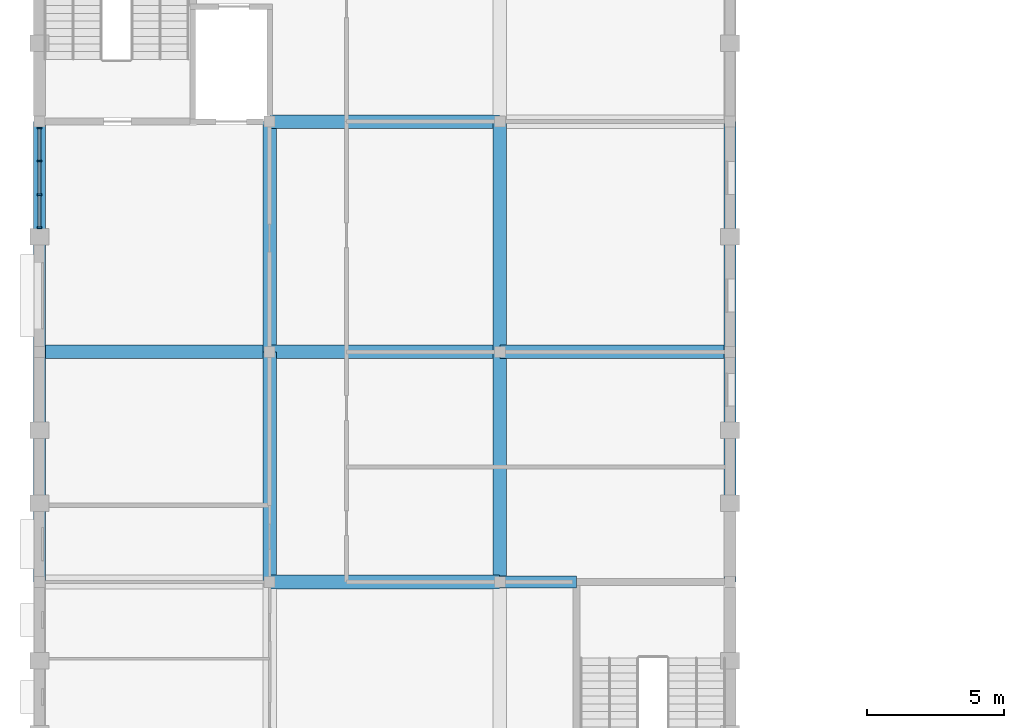
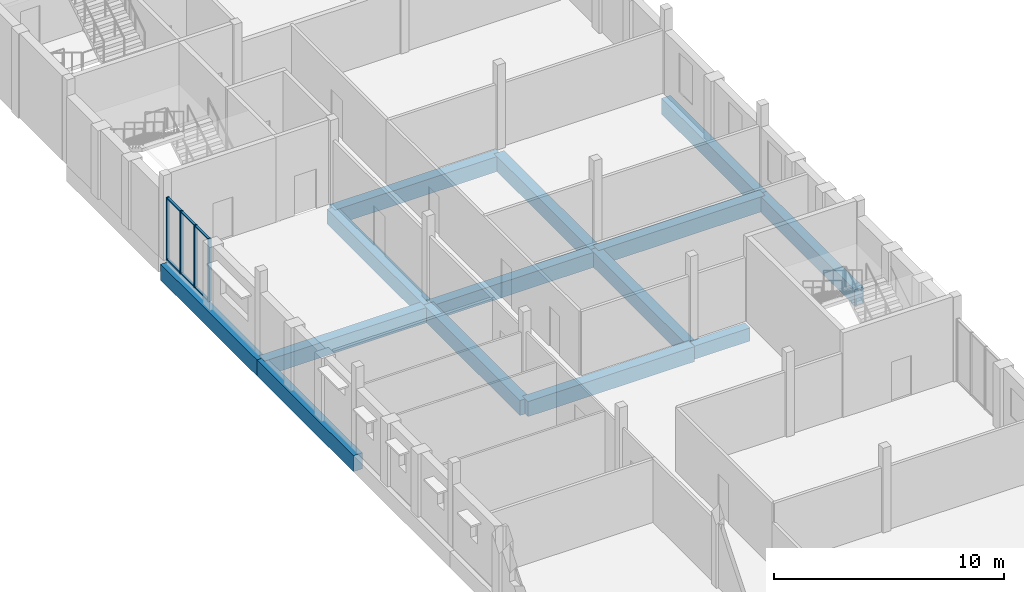
# One storey, part 6 of 22: 14 beams, 10 members, 1 element without a shape of its own.
"""IFC4 building model written with IfcOpenShell, lengths in metres."""

from ifc_helpers import new_model, si_unit, direction, frame, origin, origin_2d, place, context, subcontext, project, spatial, rectangle, extrude, material, material_profile, profile_set, type_object, element, aggregate, save


model = new_model("IFC4")

# Units and contexts
model_context = context("Model", 3, precision=1e-05, world=origin(), true_north=direction((0.0, 1.0)))
body_context = subcontext(model_context, "Body", "Model", "MODEL_VIEW")
ifc_project = project(units=[si_unit("LENGTHUNIT", "METRE"), si_unit("AREAUNIT", "SQUARE_METRE"), si_unit("VOLUMEUNIT", "CUBIC_METRE"), si_unit("PLANEANGLEUNIT", "RADIAN"), si_unit("MASSUNIT", "GRAM", prefix="KILO")], contexts=[model_context])

# Site, building, storey
site_placement = place(None, origin())
site = spatial("IfcSite", under=ifc_project, at=site_placement, CompositionType="ELEMENT")
building_placement = place(site_placement, origin())
building = spatial("IfcBuilding", under=site, at=building_placement, Name="Fescue Hill Polytechnic", CompositionType="ELEMENT")
storey_placement = place(building_placement, frame((0.0, 0.0, 27.0)))
storey = spatial("IfcBuildingStorey", under=building, at=storey_placement, Name="L06", CompositionType="ELEMENT", Elevation=27.0)

# Beams
ifc_material_1 = material(Name="Concrete 35 MPa", Category="concrete")
ifc_material_profile_1 = material_profile(ifc_material_1, rectangle(XDim=0.449951171875, YDim=0.699951171875, at=origin_2d()), Name="RC 450x700")
ifc_profile_set_1 = profile_set([ifc_material_profile_1], Name="Concrete 35 MPa")
beam_type_1 = type_object("IfcBeamType", Name="Beam RC 450x700", PredefinedType="BEAM", material=ifc_profile_set_1)
beam_1_placement = place(storey_placement, frame((16.81005859375, 84.0, -0.64990234375), z_axis=(1.0, 0.0, 0.0), x_axis=(0.0, 1.0, 0.0)))
element("IfcBeam", 1, at=beam_1_placement, inside=storey, type_object=beam_type_1, Name="BM-L06-0046", PredefinedType="BEAM", context=body_context, shape_type="SweptSolid", body=[
    extrude(rectangle(XDim=0.449951171875, YDim=0.699951171875, at=origin_2d()), origin(), (0.0, 0.0, 1.0), 2.7900390625),
])
ifc_material_profile_2 = material_profile(ifc_material_1, rectangle(XDim=0.449951171875, YDim=0.85009765625, at=origin_2d()), Name="RC 450x850")
ifc_profile_set_2 = profile_set([ifc_material_profile_2], Name="Concrete 35 MPa")
beam_type_2 = type_object("IfcBeamType", Name="Beam RC 450x850", PredefinedType="BEAM", material=ifc_profile_set_2)
beam_2_placement = place(storey_placement, frame((0.0, 84.0, -0.72509765625), z_axis=(0.0, 1.0, 0.0), x_axis=(-1.0, 0.0, 0.0)))
element("IfcBeam", 2, at=beam_2_placement, inside=storey, type_object=beam_type_2, Name="BM-L06-0004", PredefinedType="BEAM", context=body_context, shape_type="SweptSolid", body=[
    extrude(rectangle(XDim=0.449951171875, YDim=0.85009765625, at=origin_2d()), origin(), (0.0, 0.0, 1.0), 8.39990234375),
])
beam_3_placement = place(storey_placement, frame((0.0, 92.39990234375, -0.72509765625), z_axis=(0.0, 1.0, 0.0), x_axis=(-1.0, 0.0, 0.0)))
element("IfcBeam", 3, at=beam_3_placement, inside=storey, type_object=beam_type_2, Name="BM-L06-0005", PredefinedType="BEAM", context=body_context, shape_type="SweptSolid", body=[
    extrude(rectangle(XDim=0.449951171875, YDim=0.85009765625, at=origin_2d()), origin(), (0.0, 0.0, 1.0), 8.400146484375),
])
beam_4_placement = place(storey_placement, frame((25.199951171875, 84.0, -0.72509765625), z_axis=(0.0, 1.0, 0.0), x_axis=(-1.0, 0.0, 0.0)))
element("IfcBeam", 4, at=beam_4_placement, inside=storey, type_object=beam_type_2, Name="BM-L06-0053", PredefinedType="BEAM", context=body_context, shape_type="SweptSolid", body=[
    extrude(rectangle(XDim=0.449951171875, YDim=0.85009765625, at=origin_2d()), origin(), (0.0, 0.0, 1.0), 8.39990234375),
])
beam_5_placement = place(storey_placement, frame((25.199951171875, 92.39990234375, -0.72509765625), z_axis=(0.0, 1.0, 0.0), x_axis=(-1.0, 0.0, 0.0)))
element("IfcBeam", 5, at=beam_5_placement, inside=storey, type_object=beam_type_2, Name="BM-L06-0054", PredefinedType="BEAM", context=body_context, shape_type="SweptSolid", body=[
    extrude(rectangle(XDim=0.449951171875, YDim=0.85009765625, at=origin_2d()), origin(), (0.0, 0.0, 1.0), 8.400146484375),
])
ifc_material_profile_3 = material_profile(ifc_material_1, rectangle(XDim=0.5, YDim=0.800048828125, at=origin_2d()), Name="RC 500x800")
ifc_profile_set_3 = profile_set([ifc_material_profile_3], Name="Concrete 35 MPa")
beam_type_3 = type_object("IfcBeamType", Name="Beam RC 500x800", PredefinedType="BEAM", material=ifc_profile_set_3)
beam_6_placement = place(storey_placement, frame((0.010009765625, 92.39990234375, -0.699951171875), z_axis=(1.0, 0.0, 0.0), x_axis=(0.0, 1.0, 0.0)))
element("IfcBeam", 6, at=beam_6_placement, inside=storey, type_object=beam_type_3, Name="BM-L06-0011", PredefinedType="BEAM", context=body_context, shape_type="SweptSolid", body=[
    extrude(rectangle(XDim=0.5, YDim=0.800048828125, at=origin_2d()), origin(), (0.0, 0.0, 1.0), 8.3798828125),
])
beam_7_placement = place(storey_placement, frame((8.39990234375, 84.0, -0.699951171875), z_axis=(0.0, 1.0, 0.0), x_axis=(-1.0, 0.0, 0.0)))
element("IfcBeam", 7, at=beam_7_placement, inside=storey, type_object=beam_type_3, Name="BM-L06-0020", PredefinedType="BEAM", context=body_context, shape_type="SweptSolid", body=[
    extrude(rectangle(XDim=0.5, YDim=0.800048828125, at=origin_2d()), origin(), (0.0, 0.0, 1.0), 8.39990234375),
])
beam_8_placement = place(storey_placement, frame((8.39990234375, 92.39990234375, -0.699951171875), z_axis=(0.0, 1.0, 0.0), x_axis=(-1.0, 0.0, 0.0)))
element("IfcBeam", 8, at=beam_8_placement, inside=storey, type_object=beam_type_3, Name="BM-L06-0021", PredefinedType="BEAM", context=body_context, shape_type="SweptSolid", body=[
    extrude(rectangle(XDim=0.5, YDim=0.800048828125, at=origin_2d()), origin(), (0.0, 0.0, 1.0), 8.400146484375),
])
for number, where, z_axis, x_axis, name in (
    (9, (8.409912109375, 84.0, -0.699951171875), (1.0, 0.0, 0.0), (0.0, 1.0, 0.0), "BM-L06-0027"),
    (10, (8.409912109375, 92.39990234375, -0.699951171875), (1.0, 0.0, 0.0), (0.0, 1.0, 0.0), "BM-L06-0028"),
    (11, (8.409912109375, 100.800048828125, -0.699951171875), (1.0, 0.0, 0.0), (0.0, 1.0, 0.0), "BM-L06-0029"),
):
    element("IfcBeam", number, at=place(storey_placement, frame(where, z_axis=z_axis, x_axis=x_axis)), inside=storey, type_object=beam_type_3, Name=name, PredefinedType="BEAM", context=body_context, shape_type="SweptSolid", body=[
        extrude(rectangle(XDim=0.5, YDim=0.800048828125, at=origin_2d()), origin(), (0.0, 0.0, 1.0), 8.380126953125),
    ])
beam_9_placement = place(storey_placement, frame((16.800048828125, 84.0, -0.699951171875), z_axis=(0.0, 1.0, 0.0), x_axis=(-1.0, 0.0, 0.0)))
element("IfcBeam", 12, at=beam_9_placement, inside=storey, type_object=beam_type_3, Name="BM-L06-0036", PredefinedType="BEAM", context=body_context, shape_type="SweptSolid", body=[
    extrude(rectangle(XDim=0.5, YDim=0.800048828125, at=origin_2d()), origin(), (0.0, 0.0, 1.0), 8.39990234375),
])
beam_10_placement = place(storey_placement, frame((16.800048828125, 92.39990234375, -0.699951171875), z_axis=(0.0, 1.0, 0.0), x_axis=(-1.0, 0.0, 0.0)))
element("IfcBeam", 13, at=beam_10_placement, inside=storey, type_object=beam_type_3, Name="BM-L06-0037", PredefinedType="BEAM", context=body_context, shape_type="SweptSolid", body=[
    extrude(rectangle(XDim=0.5, YDim=0.800048828125, at=origin_2d()), origin(), (0.0, 0.0, 1.0), 8.400146484375),
])
beam_11_placement = place(storey_placement, frame((16.81005859375, 92.39990234375, -0.699951171875), z_axis=(1.0, 0.0, 0.0), x_axis=(0.0, 1.0, 0.0)))
element("IfcBeam", 14, at=beam_11_placement, inside=storey, type_object=beam_type_3, Name="BM-L06-0047", PredefinedType="BEAM", context=body_context, shape_type="SweptSolid", body=[
    extrude(rectangle(XDim=0.5, YDim=0.800048828125, at=origin_2d()), origin(), (0.0, 0.0, 1.0), 8.3798828125),
])

# Curtain wall, members
ifc_material_2 = material(Name="Glass", Category="glass")
curtain_wall_type = type_object("IfcCurtainWallType", Name="Curtain wall structural glazing", PredefinedType="NOTDEFINED", material=ifc_material_2)
curtain_wall_placement = place(storey_placement, origin())
curtain_wall = element("IfcCurtainWall", 15, at=curtain_wall_placement, inside=storey, type_object=curtain_wall_type, Name="CW-L06-V4-X2", PredefinedType="NOTDEFINED")
ifc_material_3 = material(Name="Powder-coated aluminium", Category="aluminium")
ifc_material_profile_4 = material_profile(ifc_material_3, rectangle(XDim=0.159912109375, YDim=0.06005859375, at=origin_2d()), Name="Mullion aluminium 60x160")
ifc_profile_set_4 = profile_set([ifc_material_profile_4], Name="Powder-coated aluminium")
member_type_1 = type_object("IfcMemberType", Name="Mullion aluminium 60x160", PredefinedType="MULLION", material=ifc_profile_set_4)
member_1_placement = place(storey_placement, frame((0.0, 100.570068359375, 0.0), z_axis=(0.0, 0.0, 1.0), x_axis=(1.0, 0.0, 0.0)))
member_1 = element("IfcMember", 16, at=member_1_placement, type_object=member_type_1, Name="CW132 mullion 1", PredefinedType="MULLION", context=body_context, shape_type="SweptSolid", body=[
    extrude(rectangle(XDim=0.159912109375, YDim=0.06005859375, at=origin_2d()), origin(), (0.0, 0.0, 1.0), 3.330078125),
])
member_2_placement = place(storey_placement, frame((0.0, 99.36669921875, 0.0), z_axis=(0.0, 0.0, 1.0), x_axis=(1.0, 0.0, 0.0)))
member_2 = element("IfcMember", 17, at=member_2_placement, type_object=member_type_1, Name="CW132 mullion 2", PredefinedType="MULLION", context=body_context, shape_type="SweptSolid", body=[
    extrude(rectangle(XDim=0.159912109375, YDim=0.06005859375, at=origin_2d()), origin(), (0.0, 0.0, 1.0), 3.330078125),
])
member_3_placement = place(storey_placement, frame((0.0, 98.13330078125, 0.0), z_axis=(0.0, 0.0, 1.0), x_axis=(1.0, 0.0, 0.0)))
member_3 = element("IfcMember", 18, at=member_3_placement, type_object=member_type_1, Name="CW132 mullion 3", PredefinedType="MULLION", context=body_context, shape_type="SweptSolid", body=[
    extrude(rectangle(XDim=0.159912109375, YDim=0.06005859375, at=origin_2d()), origin(), (0.0, 0.0, 1.0), 3.330078125),
])
member_4_placement = place(storey_placement, frame((0.0, 96.929931640625, 0.0), z_axis=(0.0, 0.0, 1.0), x_axis=(1.0, 0.0, 0.0)))
member_4 = element("IfcMember", 19, at=member_4_placement, type_object=member_type_1, Name="CW132 mullion 4", PredefinedType="MULLION", context=body_context, shape_type="SweptSolid", body=[
    extrude(rectangle(XDim=0.159912109375, YDim=0.06005859375, at=origin_2d()), origin(), (0.0, 0.0, 1.0), 3.330078125),
])
ifc_material_profile_5 = material_profile(ifc_material_3, rectangle(XDim=0.1201171875, YDim=0.06005859375, at=origin_2d()), Name="Transom aluminium 60x120")
ifc_profile_set_5 = profile_set([ifc_material_profile_5], Name="Powder-coated aluminium")
member_type_2 = type_object("IfcMemberType", Name="Transom aluminium 60x120", PredefinedType="USERDEFINED", material=ifc_profile_set_5)
member_5_placement = place(storey_placement, frame((0.0, 100.5400390625, 0.030029296875), z_axis=(0.0, -1.0, 0.0), x_axis=(1.0, 0.0, 0.0)))
member_5 = element("IfcMember", 20, at=member_5_placement, type_object=member_type_2, Name="CW132 transom 1.1", ObjectType="TRANSOM", PredefinedType="USERDEFINED", context=body_context, shape_type="SweptSolid", body=[
    extrude(rectangle(XDim=0.1201171875, YDim=0.06005859375, at=origin_2d()), origin(), (0.0, 0.0, 1.0), 1.143310546875),
])
member_6_placement = place(storey_placement, frame((0.0, 100.5400390625, 3.300048828125), z_axis=(0.0, -1.0, 0.0), x_axis=(1.0, 0.0, 0.0)))
member_6 = element("IfcMember", 21, at=member_6_placement, type_object=member_type_2, Name="CW132 transom 1.2", ObjectType="TRANSOM", PredefinedType="USERDEFINED", context=body_context, shape_type="SweptSolid", body=[
    extrude(rectangle(XDim=0.1201171875, YDim=0.06005859375, at=origin_2d()), origin(), (0.0, 0.0, 1.0), 1.143310546875),
])
member_7_placement = place(storey_placement, frame((0.0, 99.336669921875, 0.030029296875), z_axis=(0.0, -1.0, 0.0), x_axis=(1.0, 0.0, 0.0)))
member_7 = element("IfcMember", 22, at=member_7_placement, type_object=member_type_2, Name="CW132 transom 2.1", ObjectType="TRANSOM", PredefinedType="USERDEFINED", context=body_context, shape_type="SweptSolid", body=[
    extrude(rectangle(XDim=0.1201171875, YDim=0.06005859375, at=origin_2d()), origin(), (0.0, 0.0, 1.0), 1.17333984375),
])
member_8_placement = place(storey_placement, frame((0.0, 99.336669921875, 3.300048828125), z_axis=(0.0, -1.0, 0.0), x_axis=(1.0, 0.0, 0.0)))
member_8 = element("IfcMember", 23, at=member_8_placement, type_object=member_type_2, Name="CW132 transom 2.2", ObjectType="TRANSOM", PredefinedType="USERDEFINED", context=body_context, shape_type="SweptSolid", body=[
    extrude(rectangle(XDim=0.1201171875, YDim=0.06005859375, at=origin_2d()), origin(), (0.0, 0.0, 1.0), 1.17333984375),
])
member_9_placement = place(storey_placement, frame((0.0, 98.103271484375, 0.030029296875), z_axis=(0.0, -1.0, 0.0), x_axis=(1.0, 0.0, 0.0)))
member_9 = element("IfcMember", 24, at=member_9_placement, type_object=member_type_2, Name="CW132 transom 3.1", ObjectType="TRANSOM", PredefinedType="USERDEFINED", context=body_context, shape_type="SweptSolid", body=[
    extrude(rectangle(XDim=0.1201171875, YDim=0.06005859375, at=origin_2d()), origin(), (0.0, 0.0, 1.0), 1.143310546875),
])
member_10_placement = place(storey_placement, frame((0.0, 98.103271484375, 3.300048828125), z_axis=(0.0, -1.0, 0.0), x_axis=(1.0, 0.0, 0.0)))
member_10 = element("IfcMember", 25, at=member_10_placement, type_object=member_type_2, Name="CW132 transom 3.2", ObjectType="TRANSOM", PredefinedType="USERDEFINED", context=body_context, shape_type="SweptSolid", body=[
    extrude(rectangle(XDim=0.1201171875, YDim=0.06005859375, at=origin_2d()), origin(), (0.0, 0.0, 1.0), 1.143310546875),
])
aggregate(curtain_wall, [member_1, member_2, member_3, member_4, member_5, member_6, member_7, member_8, member_9, member_10])

save(model, "model.ifc")
